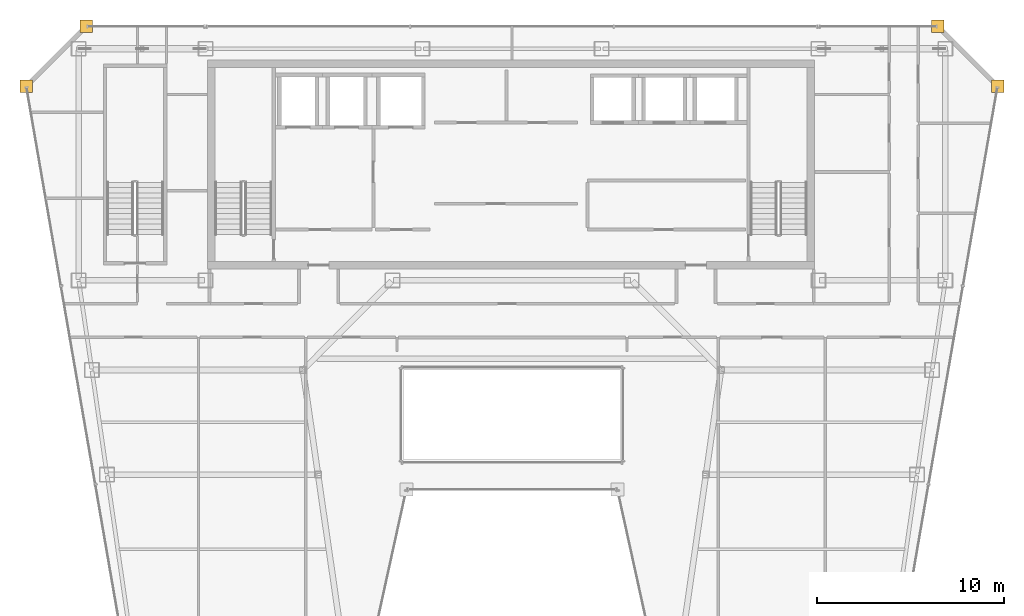
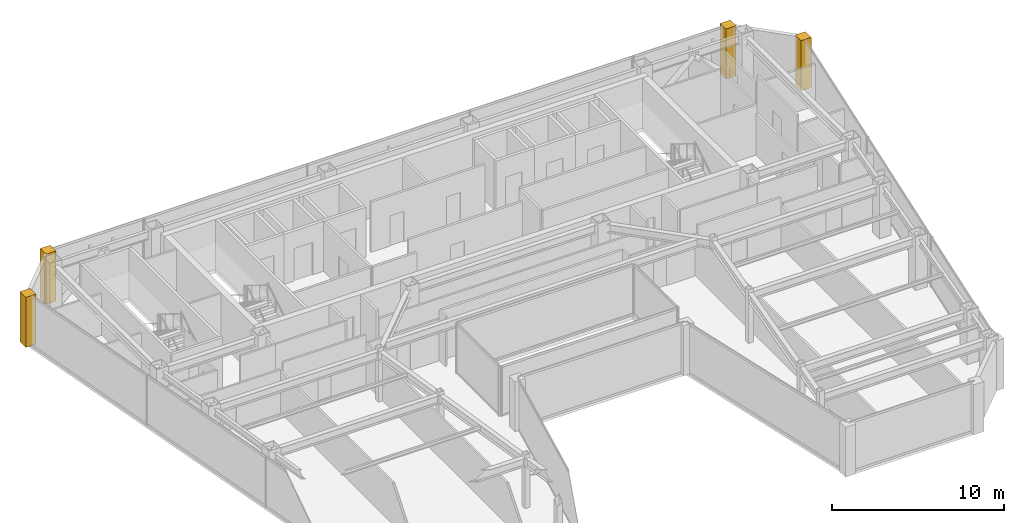
# One storey, part 32 of 32: 4 coverings.
"""IFC4 building model written with IfcOpenShell, lengths in metres."""

import ifcopenshell
import ifcopenshell.guid

model = None  # the IFC model being written
_history = None  # IfcOwnerHistory: only IFC2X3 demands one
_inside = {}  # id of a spatial element -> (the spatial element, [elements in it])
_under = {}  # id of a project, library or spatial element -> (it, [spatial elements below it])
_declared = {}  # id of a project -> (the project, [libraries it declares])
_typed = {}  # id of a type object -> (the type object, [elements of that type])
_made_of = {}  # id of a material, layer set ... -> (it, [elements and type objects made of it])


def new_model(schema):
    """Start an empty IFC model of exactly this schema.

    Asked for "IFC4X3", IfcOpenShell would pick the latest addendum, in which some entities
    have other attributes; the version numbers below select the first issue.
    IFC2X3 requires an IfcOwnerHistory on every rooted entity: one is made here for all.
    """
    global model, _history
    if schema == "IFC4X3":
        model = ifcopenshell.file(schema_version=(4, 3, 0, 0))
    else:
        model = ifcopenshell.file(schema=schema)
    _inside.clear()
    _under.clear()
    _declared.clear()
    _typed.clear()
    _made_of.clear()
    _history = None
    if model.schema == "IFC2X3":
        org = make("IfcOrganization", Name="unknown")
        user = make(
            "IfcPersonAndOrganization",
            ThePerson=make("IfcPerson", FamilyName="unknown"),
            TheOrganization=org,
        )
        app = make(
            "IfcApplication",
            ApplicationDeveloper=org,
            Version="unknown",
            ApplicationFullName="unknown",
            ApplicationIdentifier="unknown",
        )
        _history = make(
            "IfcOwnerHistory",
            OwningUser=user,
            OwningApplication=app,
            ChangeAction="ADDED",
            CreationDate=0,
        )
    return model


def make(cls, **values):
    """One entity of the class cls with the attributes given. An attribute that is None is left unset."""
    return model.create_entity(
        cls, **{name: value for name, value in values.items() if value is not None}
    )


def rooted(cls, **values):
    """An entity with a GlobalId (a new one), such as an element, a storey or a relation."""
    return make(cls, GlobalId=ifcopenshell.guid.new(), OwnerHistory=_history, **values)


def si_unit(unit_type, name, prefix=None):
    """IfcSIUnit, for example si_unit("LENGTHUNIT", "METRE", prefix="MILLI")."""
    return make("IfcSIUnit", UnitType=unit_type, Prefix=prefix, Name=name)


def assignment(units):
    """IfcUnitAssignment: the units of a project."""
    return None if units is None else make("IfcUnitAssignment", Units=units)


def point(xyz):
    """IfcCartesianPoint."""
    return None if xyz is None else make("IfcCartesianPoint", Coordinates=xyz)


def direction(xyz):
    """IfcDirection."""
    return None if xyz is None else make("IfcDirection", DirectionRatios=xyz)


def frame(location, z_axis=None, x_axis=None):
    """IfcAxis2Placement3D, a coordinate frame: its origin and axes. An axis left out is left unset."""
    return make(
        "IfcAxis2Placement3D",
        Location=point(location),
        Axis=direction(z_axis),
        RefDirection=direction(x_axis),
    )


def origin():
    """The frame at (0, 0, 0) with its axes left unset."""
    return frame((0.0, 0.0, 0.0))


def place(relative_to, where):
    """IfcLocalPlacement: puts the frame where relative to a parent placement (None: the world)."""
    return make(
        "IfcLocalPlacement", PlacementRelTo=relative_to, RelativePlacement=where
    )


def context(
    kind, dimensions, precision=None, world=None, true_north=None, identifier=None
):
    """IfcGeometricRepresentationContext, for example the 3D "Model" context."""
    return make(
        "IfcGeometricRepresentationContext",
        ContextIdentifier=identifier,
        ContextType=kind,
        CoordinateSpaceDimension=dimensions,
        Precision=precision,
        WorldCoordinateSystem=world,
        TrueNorth=true_north,
    )


def subcontext(parent, identifier, kind, view, scale=None):
    """IfcGeometricRepresentationSubContext, for example "Body" below "Model"."""
    return make(
        "IfcGeometricRepresentationSubContext",
        ContextIdentifier=identifier,
        ContextType=kind,
        ParentContext=parent,
        TargetScale=scale,
        TargetView=view,
    )


def project(units=None, contexts=None):
    """IfcProject with its units and contexts."""
    return rooted(
        "IfcProject",
        Name="project",
        RepresentationContexts=contexts,
        UnitsInContext=assignment(units),
    )


def spatial(cls, under=None, at=None, **own):
    """A site, building, storey or space (cls), placed at a placement, below another one or the project."""
    s = rooted(cls, ObjectPlacement=at, **own)
    if under is not None:
        _under.setdefault(under.id(), (under, []))[1].append(s)
    return s


def polyline(points):
    """IfcPolyline through the points."""
    return make("IfcPolyline", Points=[point(p) for p in points])


def outline(outer, holes=None, kind="AREA"):
    """IfcArbitraryClosedProfileDef: a profile drawn as a closed curve; with holes, ...WithVoids."""
    if holes is None:
        return make("IfcArbitraryClosedProfileDef", ProfileType=kind, OuterCurve=outer)
    return make(
        "IfcArbitraryProfileDefWithVoids",
        ProfileType=kind,
        OuterCurve=outer,
        InnerCurves=holes,
    )


def extrude(swept, where, along, depth):
    """IfcExtrudedAreaSolid: the profile swept, set in the frame where, extruded along a direction by depth."""
    return make(
        "IfcExtrudedAreaSolid",
        SweptArea=swept,
        Position=where,
        ExtrudedDirection=direction(along),
        Depth=depth,
    )


def shape(context_of_items, identifier, shape_type, items):
    """IfcShapeRepresentation: the items that make up one representation, for example the "Body"."""
    return make(
        "IfcShapeRepresentation",
        ContextOfItems=context_of_items,
        RepresentationIdentifier=identifier,
        RepresentationType=shape_type,
        Items=items,
    )


def material(Name=None, Category=None):
    """IfcMaterial."""
    return make("IfcMaterial", Name=Name, Category=Category)


def layer(
    of_material, thickness, ventilated=None, Name=None, Category=None, Priority=None
):
    """IfcMaterialLayer: one layer of a wall or slab, of a material (None: an air gap)."""
    return make(
        "IfcMaterialLayer",
        Material=of_material,
        LayerThickness=thickness,
        IsVentilated=ventilated,
        Name=Name,
        Category=Category,
        Priority=Priority,
    )


def layer_set(layers, Name=None):
    """IfcMaterialLayerSet."""
    return make("IfcMaterialLayerSet", MaterialLayers=layers, LayerSetName=Name)


def made_of(thing, what):
    """Note that an element or type object is made of a material, layer set ...; save() writes the relation."""
    if what is not None:
        _made_of.setdefault(what.id(), (what, []))[1].append(thing)
    return thing


def type_object(cls, material=None, **own):
    """A type object (cls), such as IfcWallType, which elements share."""
    return made_of(rooted(cls, **own), material)


def element(
    cls,
    number,
    at=None,
    inside=None,
    cuts=None,
    type_object=None,
    material=None,
    context=None,
    identifier="Body",
    shape_type=None,
    held_by="IfcProductDefinitionShape",
    body=None,
    shapes=None,
    **own,
):
    """One element of the class cls, such as IfcWall. Its Tag is "e" and its number.

    at: its placement. inside: the storey or other place that contains it. cuts: it is an
    opening in that element (IfcRelVoidsElement). A single representation is given by context,
    identifier, shape_type and body (its items); several are given by shapes. held_by: the class
    of the entity that holds the representations. save() writes the other relations.
    """
    e = rooted(cls, Tag="e%d" % number, ObjectPlacement=at, **own)
    if body is not None:
        shapes = [shape(context, identifier, shape_type, body)]
    if shapes is not None:
        e.Representation = make(held_by, Representations=shapes)
    if inside is not None:
        _inside.setdefault(inside.id(), (inside, []))[1].append(e)
    if cuts is not None:
        rooted(
            "IfcRelVoidsElement", RelatingBuildingElement=cuts, RelatedOpeningElement=e
        )
    if type_object is not None:
        _typed.setdefault(type_object.id(), (type_object, []))[1].append(e)
    return made_of(e, material)


def aggregate(whole, parts):
    """IfcRelAggregates: a whole, such as a stair, and the parts it consists of."""
    return rooted("IfcRelAggregates", RelatingObject=whole, RelatedObjects=parts)


def save(model, path):
    """Write the relations noted so far, then the file.

    IfcRelAggregates (storeys below a building ...), IfcRelContainedInSpatialStructure (elements
    in a storey), IfcRelDefinesByType, IfcRelAssociatesMaterial and IfcRelDeclares: one each for
    every whole, place, type object, material and project.
    """
    for whole, parts in _under.values():
        aggregate(whole, parts)
    for where, things in _inside.values():
        rooted(
            "IfcRelContainedInSpatialStructure",
            RelatedElements=things,
            RelatingStructure=where,
        )
    for kind, things in _typed.values():
        rooted("IfcRelDefinesByType", RelatedObjects=things, RelatingType=kind)
    for what, things in _made_of.values():
        rooted("IfcRelAssociatesMaterial", RelatedObjects=things, RelatingMaterial=what)
    for by, libraries in _declared.values():
        rooted("IfcRelDeclares", RelatingContext=by, RelatedDefinitions=libraries)
    model.write(path)


model = new_model("IFC4")

# Units and contexts
model_context = context("Model", 3, precision=1e-05, world=origin(), true_north=direction((0.0, 1.0)))
body_context = subcontext(model_context, "Body", "Model", "MODEL_VIEW")
ifc_project = project(units=[si_unit("LENGTHUNIT", "METRE"), si_unit("AREAUNIT", "SQUARE_METRE"), si_unit("VOLUMEUNIT", "CUBIC_METRE"), si_unit("PLANEANGLEUNIT", "RADIAN"), si_unit("MASSUNIT", "GRAM", prefix="KILO")], contexts=[model_context])

# Site, building, storey
site_placement = place(None, origin())
site = spatial("IfcSite", under=ifc_project, at=site_placement, CompositionType="ELEMENT")
building_placement = place(site_placement, origin())
building = spatial("IfcBuilding", under=site, at=building_placement, Name="Saevonmaru Cultural Tower", CompositionType="ELEMENT")
storey_placement = place(building_placement, frame((0.0, 0.0, 242.0)))
storey = spatial("IfcBuildingStorey", under=building, at=storey_placement, Name="L56", CompositionType="ELEMENT", Elevation=242.0)

# Coverings
ifc_material = material(Name="Satin Bronze Anodised Aluminium", Category="aluminium")
ifc_layer = layer(ifc_material, 0.679931640625, Name="Satin Bronze Anodised Aluminium")
ifc_layer_set = layer_set([ifc_layer], Name="Satin Bronze Anodised Aluminium")
covering_type = type_object("IfcCoveringType", Name="CV-CORNER-CLAD", PredefinedType="CLADDING", material=ifc_layer_set)
covering_1_placement = place(storey_placement, origin())
element("IfcCovering", 1, at=covering_1_placement, inside=storey, type_object=covering_type, Name="L56 Tower Bronze Corner Cladding Pier 9", PredefinedType="CLADDING", context=body_context, shape_type="SweptSolid", body=[
    extrude(outline(polyline([(55.659912109375, 52.4599609375), (56.340087890625, 52.4599609375), (56.340087890625, 53.139892578125), (55.659912109375, 53.139892578125), (55.659912109375, 52.4599609375)])), origin(), (0.0, 0.0, 1.0), 3.550048828125),
])
covering_2_placement = place(storey_placement, origin())
element("IfcCovering", 2, at=covering_2_placement, inside=storey, type_object=covering_type, Name="L56 Tower Bronze Corner Cladding Pier 10", PredefinedType="CLADDING", context=body_context, shape_type="SweptSolid", body=[
    extrude(outline(polyline([(52.4599609375, 55.659912109375), (53.139892578125, 55.659912109375), (53.139892578125, 56.340087890625), (52.4599609375, 56.340087890625), (52.4599609375, 55.659912109375)])), origin(), (0.0, 0.0, 1.0), 3.550048828125),
])
covering_3_placement = place(storey_placement, origin())
element("IfcCovering", 3, at=covering_3_placement, inside=storey, type_object=covering_type, Name="L56 Tower Bronze Corner Cladding Pier 11", PredefinedType="CLADDING", context=body_context, shape_type="SweptSolid", body=[
    extrude(outline(polyline([(6.860107421875, 55.659912109375), (7.5400390625, 55.659912109375), (7.5400390625, 56.340087890625), (6.860107421875, 56.340087890625), (6.860107421875, 55.659912109375)])), origin(), (0.0, 0.0, 1.0), 3.550048828125),
])
covering_4_placement = place(storey_placement, origin())
element("IfcCovering", 4, at=covering_4_placement, inside=storey, type_object=covering_type, Name="L56 Tower Bronze Corner Cladding Pier 12", PredefinedType="CLADDING", context=body_context, shape_type="SweptSolid", body=[
    extrude(outline(polyline([(3.659912109375, 52.4599609375), (4.340087890625, 52.4599609375), (4.340087890625, 53.139892578125), (3.659912109375, 53.139892578125), (3.659912109375, 52.4599609375)])), origin(), (0.0, 0.0, 1.0), 3.550048828125),
])

save(model, "model.ifc")
